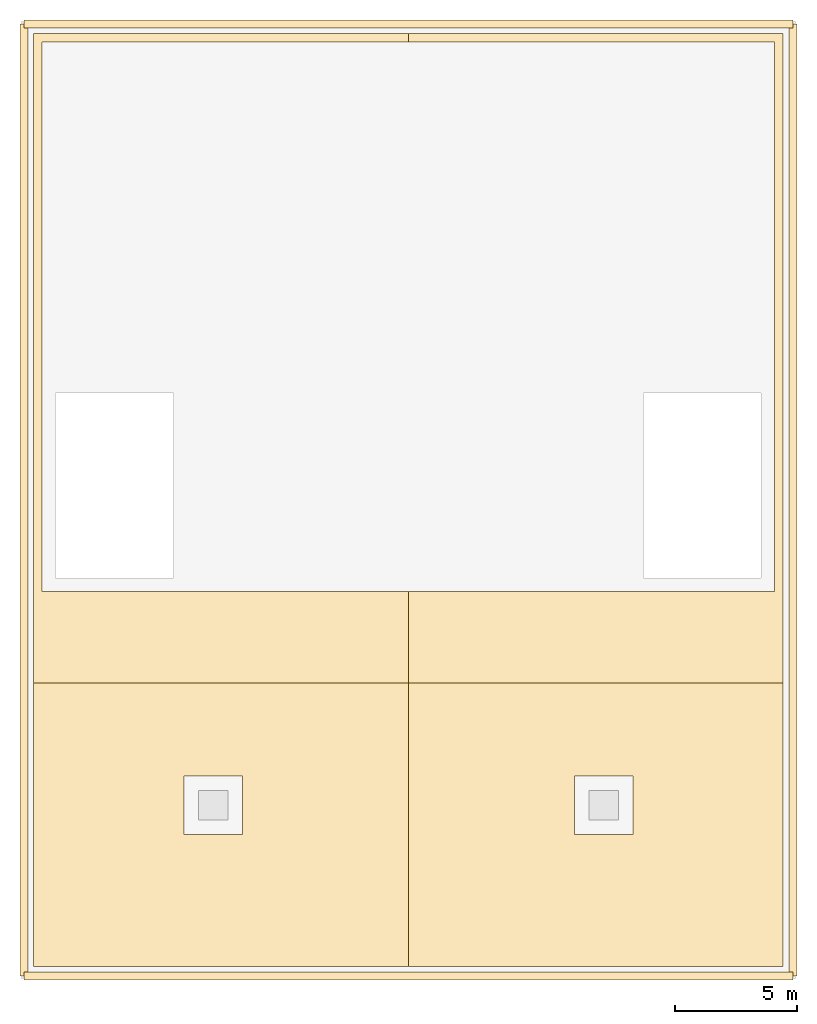
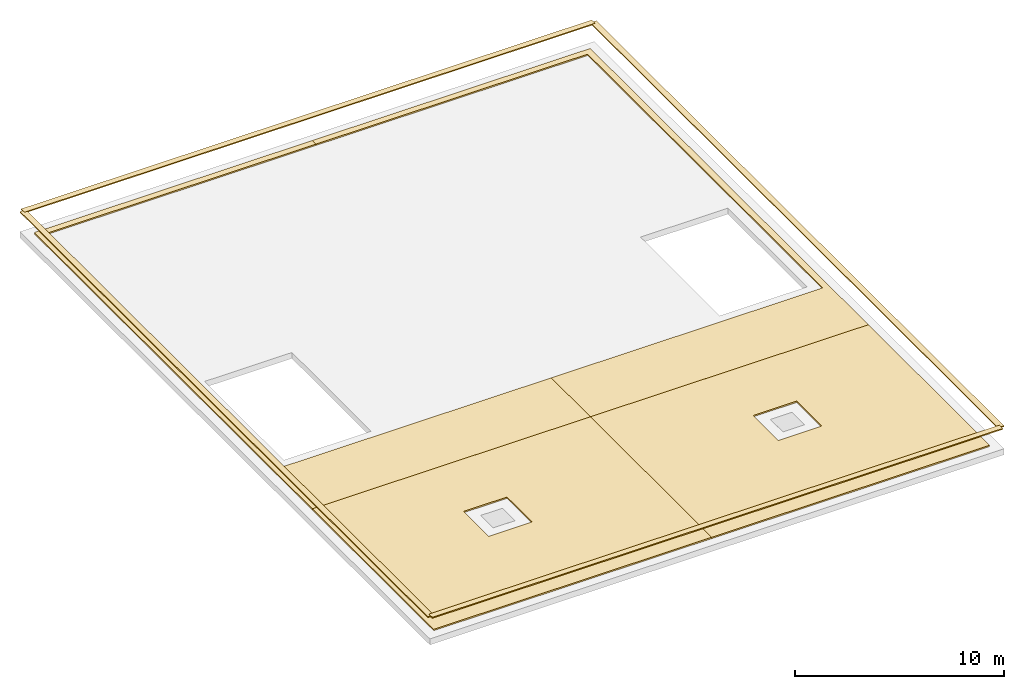
# One storey, part 2 of 2: 8 coverings.
"""IFC4 building model written with IfcOpenShell, lengths in metres."""

import ifcopenshell
import ifcopenshell.guid

model = None  # the IFC model being written
_history = None  # IfcOwnerHistory: only IFC2X3 demands one
_inside = {}  # id of a spatial element -> (the spatial element, [elements in it])
_under = {}  # id of a project, library or spatial element -> (it, [spatial elements below it])
_declared = {}  # id of a project -> (the project, [libraries it declares])
_typed = {}  # id of a type object -> (the type object, [elements of that type])
_made_of = {}  # id of a material, layer set ... -> (it, [elements and type objects made of it])


def new_model(schema):
    """Start an empty IFC model of exactly this schema.

    Asked for "IFC4X3", IfcOpenShell would pick the latest addendum, in which some entities
    have other attributes; the version numbers below select the first issue.
    IFC2X3 requires an IfcOwnerHistory on every rooted entity: one is made here for all.
    """
    global model, _history
    if schema == "IFC4X3":
        model = ifcopenshell.file(schema_version=(4, 3, 0, 0))
    else:
        model = ifcopenshell.file(schema=schema)
    _inside.clear()
    _under.clear()
    _declared.clear()
    _typed.clear()
    _made_of.clear()
    _history = None
    if model.schema == "IFC2X3":
        org = make("IfcOrganization", Name="unknown")
        user = make(
            "IfcPersonAndOrganization",
            ThePerson=make("IfcPerson", FamilyName="unknown"),
            TheOrganization=org,
        )
        app = make(
            "IfcApplication",
            ApplicationDeveloper=org,
            Version="unknown",
            ApplicationFullName="unknown",
            ApplicationIdentifier="unknown",
        )
        _history = make(
            "IfcOwnerHistory",
            OwningUser=user,
            OwningApplication=app,
            ChangeAction="ADDED",
            CreationDate=0,
        )
    return model


def make(cls, **values):
    """One entity of the class cls with the attributes given. An attribute that is None is left unset."""
    return model.create_entity(
        cls, **{name: value for name, value in values.items() if value is not None}
    )


def rooted(cls, **values):
    """An entity with a GlobalId (a new one), such as an element, a storey or a relation."""
    return make(cls, GlobalId=ifcopenshell.guid.new(), OwnerHistory=_history, **values)


def si_unit(unit_type, name, prefix=None):
    """IfcSIUnit, for example si_unit("LENGTHUNIT", "METRE", prefix="MILLI")."""
    return make("IfcSIUnit", UnitType=unit_type, Prefix=prefix, Name=name)


def assignment(units):
    """IfcUnitAssignment: the units of a project."""
    return None if units is None else make("IfcUnitAssignment", Units=units)


def point(xyz):
    """IfcCartesianPoint."""
    return None if xyz is None else make("IfcCartesianPoint", Coordinates=xyz)


def direction(xyz):
    """IfcDirection."""
    return None if xyz is None else make("IfcDirection", DirectionRatios=xyz)


def frame(location, z_axis=None, x_axis=None):
    """IfcAxis2Placement3D, a coordinate frame: its origin and axes. An axis left out is left unset."""
    return make(
        "IfcAxis2Placement3D",
        Location=point(location),
        Axis=direction(z_axis),
        RefDirection=direction(x_axis),
    )


def origin():
    """The frame at (0, 0, 0) with its axes left unset."""
    return frame((0.0, 0.0, 0.0))


def place(relative_to, where):
    """IfcLocalPlacement: puts the frame where relative to a parent placement (None: the world)."""
    return make(
        "IfcLocalPlacement", PlacementRelTo=relative_to, RelativePlacement=where
    )


def context(
    kind, dimensions, precision=None, world=None, true_north=None, identifier=None
):
    """IfcGeometricRepresentationContext, for example the 3D "Model" context."""
    return make(
        "IfcGeometricRepresentationContext",
        ContextIdentifier=identifier,
        ContextType=kind,
        CoordinateSpaceDimension=dimensions,
        Precision=precision,
        WorldCoordinateSystem=world,
        TrueNorth=true_north,
    )


def subcontext(parent, identifier, kind, view, scale=None):
    """IfcGeometricRepresentationSubContext, for example "Body" below "Model"."""
    return make(
        "IfcGeometricRepresentationSubContext",
        ContextIdentifier=identifier,
        ContextType=kind,
        ParentContext=parent,
        TargetScale=scale,
        TargetView=view,
    )


def project(units=None, contexts=None):
    """IfcProject with its units and contexts."""
    return rooted(
        "IfcProject",
        Name="project",
        RepresentationContexts=contexts,
        UnitsInContext=assignment(units),
    )


def spatial(cls, under=None, at=None, **own):
    """A site, building, storey or space (cls), placed at a placement, below another one or the project."""
    s = rooted(cls, ObjectPlacement=at, **own)
    if under is not None:
        _under.setdefault(under.id(), (under, []))[1].append(s)
    return s


def polyline(points):
    """IfcPolyline through the points."""
    return make("IfcPolyline", Points=[point(p) for p in points])


def outline(outer, holes=None, kind="AREA"):
    """IfcArbitraryClosedProfileDef: a profile drawn as a closed curve; with holes, ...WithVoids."""
    if holes is None:
        return make("IfcArbitraryClosedProfileDef", ProfileType=kind, OuterCurve=outer)
    return make(
        "IfcArbitraryProfileDefWithVoids",
        ProfileType=kind,
        OuterCurve=outer,
        InnerCurves=holes,
    )


def extrude(swept, where, along, depth):
    """IfcExtrudedAreaSolid: the profile swept, set in the frame where, extruded along a direction by depth."""
    return make(
        "IfcExtrudedAreaSolid",
        SweptArea=swept,
        Position=where,
        ExtrudedDirection=direction(along),
        Depth=depth,
    )


def shape(context_of_items, identifier, shape_type, items):
    """IfcShapeRepresentation: the items that make up one representation, for example the "Body"."""
    return make(
        "IfcShapeRepresentation",
        ContextOfItems=context_of_items,
        RepresentationIdentifier=identifier,
        RepresentationType=shape_type,
        Items=items,
    )


def material(Name=None, Category=None):
    """IfcMaterial."""
    return make("IfcMaterial", Name=Name, Category=Category)


def layer(
    of_material, thickness, ventilated=None, Name=None, Category=None, Priority=None
):
    """IfcMaterialLayer: one layer of a wall or slab, of a material (None: an air gap)."""
    return make(
        "IfcMaterialLayer",
        Material=of_material,
        LayerThickness=thickness,
        IsVentilated=ventilated,
        Name=Name,
        Category=Category,
        Priority=Priority,
    )


def layer_set(layers, Name=None):
    """IfcMaterialLayerSet."""
    return make("IfcMaterialLayerSet", MaterialLayers=layers, LayerSetName=Name)


def made_of(thing, what):
    """Note that an element or type object is made of a material, layer set ...; save() writes the relation."""
    if what is not None:
        _made_of.setdefault(what.id(), (what, []))[1].append(thing)
    return thing


def type_object(cls, material=None, **own):
    """A type object (cls), such as IfcWallType, which elements share."""
    return made_of(rooted(cls, **own), material)


def element(
    cls,
    number,
    at=None,
    inside=None,
    cuts=None,
    type_object=None,
    material=None,
    context=None,
    identifier="Body",
    shape_type=None,
    held_by="IfcProductDefinitionShape",
    body=None,
    shapes=None,
    **own,
):
    """One element of the class cls, such as IfcWall. Its Tag is "e" and its number.

    at: its placement. inside: the storey or other place that contains it. cuts: it is an
    opening in that element (IfcRelVoidsElement). A single representation is given by context,
    identifier, shape_type and body (its items); several are given by shapes. held_by: the class
    of the entity that holds the representations. save() writes the other relations.
    """
    e = rooted(cls, Tag="e%d" % number, ObjectPlacement=at, **own)
    if body is not None:
        shapes = [shape(context, identifier, shape_type, body)]
    if shapes is not None:
        e.Representation = make(held_by, Representations=shapes)
    if inside is not None:
        _inside.setdefault(inside.id(), (inside, []))[1].append(e)
    if cuts is not None:
        rooted(
            "IfcRelVoidsElement", RelatingBuildingElement=cuts, RelatedOpeningElement=e
        )
    if type_object is not None:
        _typed.setdefault(type_object.id(), (type_object, []))[1].append(e)
    return made_of(e, material)


def aggregate(whole, parts):
    """IfcRelAggregates: a whole, such as a stair, and the parts it consists of."""
    return rooted("IfcRelAggregates", RelatingObject=whole, RelatedObjects=parts)


def save(model, path):
    """Write the relations noted so far, then the file.

    IfcRelAggregates (storeys below a building ...), IfcRelContainedInSpatialStructure (elements
    in a storey), IfcRelDefinesByType, IfcRelAssociatesMaterial and IfcRelDeclares: one each for
    every whole, place, type object, material and project.
    """
    for whole, parts in _under.values():
        aggregate(whole, parts)
    for where, things in _inside.values():
        rooted(
            "IfcRelContainedInSpatialStructure",
            RelatedElements=things,
            RelatingStructure=where,
        )
    for kind, things in _typed.values():
        rooted("IfcRelDefinesByType", RelatedObjects=things, RelatingType=kind)
    for what, things in _made_of.values():
        rooted("IfcRelAssociatesMaterial", RelatedObjects=things, RelatingMaterial=what)
    for by, libraries in _declared.values():
        rooted("IfcRelDeclares", RelatingContext=by, RelatedDefinitions=libraries)
    model.write(path)


model = new_model("IFC4")

# Units and contexts
model_context = context("Model", 3, precision=1e-05, world=origin(), true_north=direction((0.0, 1.0)))
body_context = subcontext(model_context, "Body", "Model", "MODEL_VIEW")
ifc_project = project(units=[si_unit("LENGTHUNIT", "METRE"), si_unit("AREAUNIT", "SQUARE_METRE"), si_unit("VOLUMEUNIT", "CUBIC_METRE"), si_unit("PLANEANGLEUNIT", "RADIAN"), si_unit("MASSUNIT", "GRAM", prefix="KILO")], contexts=[model_context])

# Site, building, storey
site_placement = place(None, origin())
site = spatial("IfcSite", under=ifc_project, at=site_placement, CompositionType="ELEMENT")
building_placement = place(site_placement, origin())
building = spatial("IfcBuilding", under=site, at=building_placement, Name="Pilkhan Gate Tower", CompositionType="ELEMENT")
storey_placement = place(building_placement, frame((0.0, 0.0, 299.89990234375)))
storey = spatial("IfcBuildingStorey", under=building, at=storey_placement, Name="ROOF", CompositionType="ELEMENT", Elevation=299.89990234375)

# Coverings
ifc_material_1 = material(Name="Pale anodised aluminium coping", Category="aluminium")
ifc_layer_1 = layer(ifc_material_1, 0.06005859375)
ifc_layer_set_1 = layer_set([ifc_layer_1], Name="Parapet coping PC60")
covering_type_1 = type_object("IfcCoveringType", Name="Parapet coping PC60", PredefinedType="CLADDING", material=ifc_layer_set_1)
covering_1_placement = place(storey_placement, frame((0.0, 0.0, 1.2001953125)))
element("IfcCovering", 1, at=covering_1_placement, inside=storey, type_object=covering_type_1, Name="Parapet coping RF", PredefinedType="CLADDING", context=body_context, shape_type="SweptSolid", body=[
    extrude(outline(polyline([(90.590087890625, 94.5), (90.909912109375, 94.5), (90.909912109375, 55.5), (90.590087890625, 55.5), (90.590087890625, 94.5)])), origin(), (0.0, 0.0, 1.0), 0.059814453125),
])
covering_2_placement = place(storey_placement, frame((0.0, 0.0, 1.2001953125)))
element("IfcCovering", 2, at=covering_2_placement, inside=storey, type_object=covering_type_1, Name="Parapet coping RF", PredefinedType="CLADDING", context=body_context, shape_type="SweptSolid", body=[
    extrude(outline(polyline([(90.75, 94.659912109375), (90.75, 94.340087890625), (59.25, 94.340087890625), (59.25, 94.659912109375), (90.75, 94.659912109375)])), origin(), (0.0, 0.0, 1.0), 0.059814453125),
])
covering_3_placement = place(storey_placement, frame((0.0, 0.0, 1.2001953125)))
element("IfcCovering", 3, at=covering_3_placement, inside=storey, type_object=covering_type_1, Name="Parapet coping RF", PredefinedType="CLADDING", context=body_context, shape_type="SweptSolid", body=[
    extrude(outline(polyline([(59.090087890625, 94.5), (59.409912109375, 94.5), (59.409912109375, 55.5), (59.090087890625, 55.5), (59.090087890625, 94.5)])), origin(), (0.0, 0.0, 1.0), 0.059814453125),
])
covering_4_placement = place(storey_placement, frame((0.0, 0.0, 1.2001953125)))
element("IfcCovering", 4, at=covering_4_placement, inside=storey, type_object=covering_type_1, Name="Parapet coping RF", PredefinedType="CLADDING", context=body_context, shape_type="SweptSolid", body=[
    extrude(outline(polyline([(90.75, 55.659912109375), (90.75, 55.340087890625), (59.25, 55.340087890625), (59.25, 55.659912109375), (90.75, 55.659912109375)])), origin(), (0.0, 0.0, 1.0), 0.059814453125),
])
ifc_material_2 = material(Name="Bituminous roofing membrane on rigid insulation")
ifc_layer_2 = layer(ifc_material_2, 0.080078125)
ifc_layer_set_2 = layer_set([ifc_layer_2], Name="Roofing membrane RM80")
covering_type_2 = type_object("IfcCoveringType", Name="Roofing membrane RM80", PredefinedType="ROOFING", material=ifc_layer_set_2)
covering_5_placement = place(storey_placement, origin())
element("IfcCovering", 5, at=covering_5_placement, inside=storey, type_object=covering_type_2, Name="Roofing RF 1", PredefinedType="ROOFING", context=body_context, shape_type="SweptSolid", body=[
    extrude(outline(polyline([(59.64990234375, 55.89990234375), (59.64990234375, 67.5), (75.0, 67.5), (75.0, 55.89990234375), (59.64990234375, 55.89990234375)]), holes=[polyline([(65.800048828125, 63.699951171875), (65.800048828125, 61.300048828125), (68.199951171875, 61.300048828125), (68.199951171875, 63.699951171875), (65.800048828125, 63.699951171875)])]), origin(), (0.0, 0.0, 1.0), 0.080078125),
])
covering_6_placement = place(storey_placement, origin())
element("IfcCovering", 6, at=covering_6_placement, inside=storey, type_object=covering_type_2, Name="Roofing RF 2", PredefinedType="ROOFING", context=body_context, shape_type="SweptSolid", body=[
    extrude(outline(polyline([(90.35009765625, 55.89990234375), (75.0, 55.89990234375), (75.0, 67.5), (90.35009765625, 67.5), (90.35009765625, 55.89990234375)]), holes=[polyline([(81.800048828125, 63.699951171875), (81.800048828125, 61.300048828125), (84.199951171875, 61.300048828125), (84.199951171875, 63.699951171875), (81.800048828125, 63.699951171875)])]), origin(), (0.0, 0.0, 1.0), 0.080078125),
])
covering_7_placement = place(storey_placement, origin())
element("IfcCovering", 7, at=covering_7_placement, inside=storey, type_object=covering_type_2, Name="Roofing RF 3", PredefinedType="ROOFING", context=body_context, shape_type="SweptSolid", body=[
    extrude(outline(polyline([(75.0, 94.10009765625), (75.0, 93.75), (60.0, 93.75), (60.0, 71.25), (75.0, 71.25), (75.0, 67.5), (59.64990234375, 67.5), (59.64990234375, 94.10009765625), (75.0, 94.10009765625)])), origin(), (0.0, 0.0, 1.0), 0.080078125),
])
covering_8_placement = place(storey_placement, origin())
element("IfcCovering", 8, at=covering_8_placement, inside=storey, type_object=covering_type_2, Name="Roofing RF 4", PredefinedType="ROOFING", context=body_context, shape_type="SweptSolid", body=[
    extrude(outline(polyline([(90.35009765625, 94.10009765625), (90.35009765625, 67.5), (75.0, 67.5), (75.0, 71.25), (90.0, 71.25), (90.0, 93.75), (75.0, 93.75), (75.0, 94.10009765625), (90.35009765625, 94.10009765625)])), origin(), (0.0, 0.0, 1.0), 0.080078125),
])

save(model, "model.ifc")
